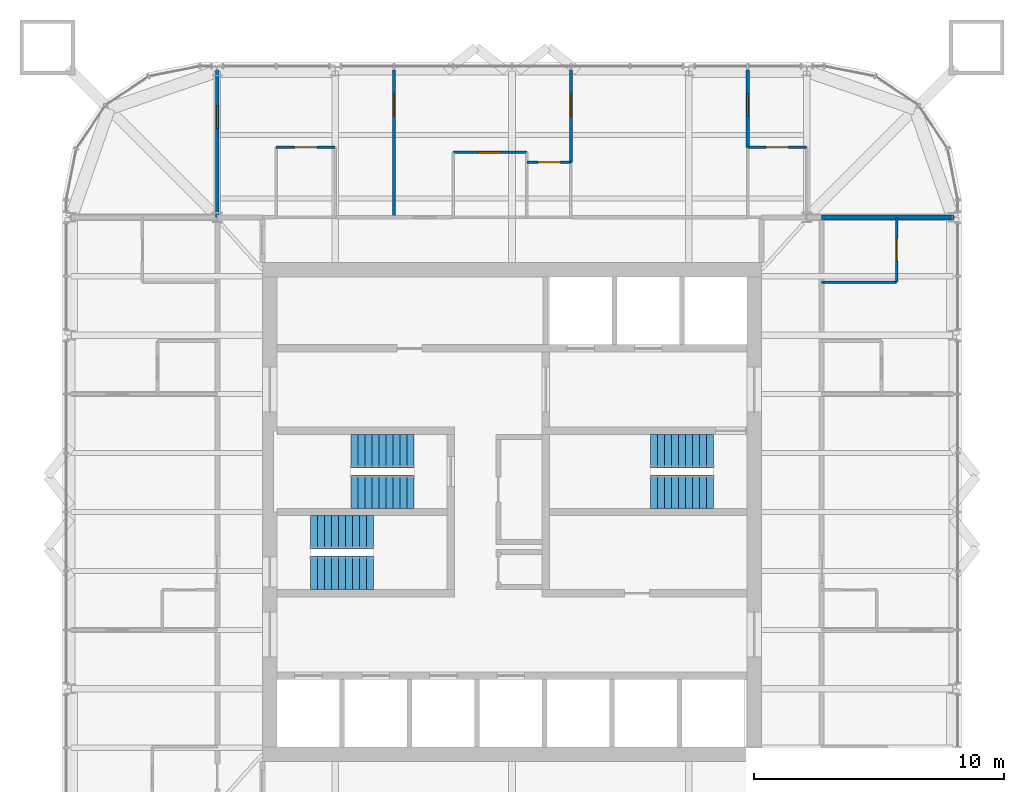
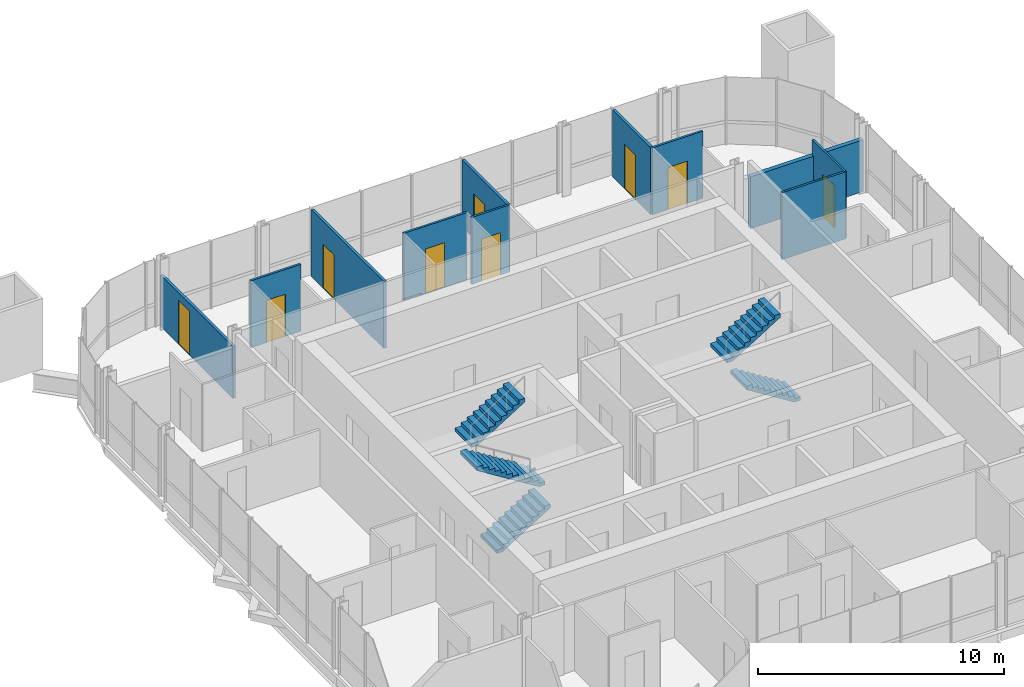
# One storey, part 16 of 17: 11 walls, 9 doors, 6 stair flights, 9 openings, 3 elements without a shape of their own.
"""IFC4 building model written with IfcOpenShell, lengths in metres."""

from ifc_helpers import new_model, si_unit, direction, frame, frame_2d, origin, place, context, subcontext, project, spatial, polyline, rectangle, outline, extrude, material, layer, layer_set, type_object, element, fill, aggregate, save


model = new_model("IFC4")

# Units and contexts
model_context = context("Model", 3, precision=1e-05, world=origin(), true_north=direction((0.0, 1.0)))
body_context = subcontext(model_context, "Body", "Model", "MODEL_VIEW")
ifc_project = project(units=[si_unit("LENGTHUNIT", "METRE"), si_unit("AREAUNIT", "SQUARE_METRE"), si_unit("VOLUMEUNIT", "CUBIC_METRE"), si_unit("PLANEANGLEUNIT", "RADIAN"), si_unit("MASSUNIT", "GRAM", prefix="KILO")], contexts=[model_context])

# Site, building, storey
site_placement = place(None, origin())
site = spatial("IfcSite", under=ifc_project, at=site_placement, CompositionType="ELEMENT")
building_placement = place(site_placement, origin())
building = spatial("IfcBuilding", under=site, at=building_placement, Name="Turquesa Mirador Hotel Tower", CompositionType="ELEMENT")
storey_placement = place(building_placement, frame((0.0, 0.0, 251.199951171875)))
storey = spatial("IfcBuildingStorey", under=building, at=storey_placement, Name="L68", CompositionType="ELEMENT", Elevation=251.199951171875)

# Wall, opening, door
ifc_material_1 = material(Name="Gypsum board on steel studs", Category="steel")
ifc_layer_1 = layer(ifc_material_1, 0.10009765625)
ifc_layer_set_1 = layer_set([ifc_layer_1], Name="BATHROOM WALL 100")
wall_type_1 = type_object("IfcWallType", Name="BATHROOM WALL 100", PredefinedType="PARTITIONING", material=ifc_layer_set_1)
wall_1_placement = place(storey_placement, frame((55.60009765625, 59.0, 0.0), z_axis=(0.0, 0.0, 1.0), x_axis=(1.0, 0.0, 0.0)))
wall_1 = element("IfcWall", 1, at=wall_1_placement, inside=storey, type_object=wall_type_1, Name="Partition L68 033", PredefinedType="PARTITIONING", context=body_context, shape_type="SweptSolid", body=[
    extrude(rectangle(XDim=1.760009765625, YDim=0.10009765625, at=frame_2d((0.8798828125, 0.0))), origin(), (0.0, 0.0, 1.0), 3.330078125),
])
opening_1_placement = place(wall_1_placement, frame((0.449951171875, 0.0, 0.0)))
opening_1 = element("IfcOpeningElement", 2, at=opening_1_placement, cuts=wall_1, Name="Opening D06", PredefinedType="OPENING", context=body_context, shape_type="SweptSolid", body=[
    extrude(rectangle(XDim=0.89990234375, YDim=2.10009765625, at=frame_2d((0.449951171875, 1.050048828125))), frame((0.0, 0.06005859375, 0.0), z_axis=(0.0, -1.0, 0.0), x_axis=(1.0, 0.0, 0.0)), (0.0, 0.0, 1.0), 0.1201171875),
])
ifc_material_2 = material(Name="Laminate door", Category="wood")
door_type_1 = type_object("IfcDoorType", Name="DOOR 900X2100 WC", OperationType="SINGLE_SWING_LEFT", PredefinedType="DOOR", material=ifc_material_2)
door_1_placement = place(opening_1_placement, origin())
door_1 = element("IfcDoor", 3, at=door_1_placement, inside=storey, type_object=door_type_1, Name="Door 6801W", OperationType="SINGLE_SWING_LEFT", OverallHeight=2.10009765625, OverallWidth=0.89990234375, PredefinedType="DOOR", context=body_context, shape_type="SweptSolid", body=[
    extrude(rectangle(XDim=0.89990234375, YDim=2.10009765625, at=frame_2d((0.449951171875, 1.050048828125))), frame((0.0, 0.02490234375, 0.0), z_axis=(0.0, -1.0, 0.0), x_axis=(1.0, 0.0, 0.0)), (0.0, 0.0, 1.0), 0.050048828125),
])
fill(opening_1, door_1)

wall_2_placement = place(storey_placement, frame((52.639892578125, 59.39990234375, 0.0), z_axis=(0.0, 0.0, 1.0), x_axis=(1.0, 0.0, 0.0)))
wall_2 = element("IfcWall", 4, at=wall_2_placement, inside=storey, type_object=wall_type_1, Name="Partition L68 034", PredefinedType="PARTITIONING", context=body_context, shape_type="SweptSolid", body=[
    extrude(rectangle(XDim=2.960205078125, YDim=0.10009765625, at=frame_2d((1.47998046875, 0.0))), origin(), (0.0, 0.0, 1.0), 3.330078125),
])
opening_2_placement = place(wall_2_placement, frame((1.010009765625, 0.0, 0.0)))
opening_2 = element("IfcOpeningElement", 5, at=opening_2_placement, cuts=wall_2, Name="Opening D17", PredefinedType="OPENING", context=body_context, shape_type="SweptSolid", body=[
    extrude(rectangle(XDim=0.89990234375, YDim=2.199951171875, at=frame_2d((0.449951171875, 1.10009765625))), frame((0.0, 0.06005859375, 0.0), z_axis=(0.0, -1.0, 0.0), x_axis=(1.0, 0.0, 0.0)), (0.0, 0.0, 1.0), 0.1201171875),
])
ifc_material_3 = material(Name="Timber veneered door", Category="wood")
door_type_2 = type_object("IfcDoorType", Name="DOOR 900X2200 SUITE INTERNAL", OperationType="SINGLE_SWING_LEFT", PredefinedType="DOOR", material=ifc_material_3)
door_2_placement = place(opening_2_placement, origin())
door_2 = element("IfcDoor", 6, at=door_2_placement, inside=storey, type_object=door_type_2, Name="Door 6801K", OperationType="SINGLE_SWING_LEFT", OverallHeight=2.199951171875, OverallWidth=0.89990234375, PredefinedType="DOOR", context=body_context, shape_type="SweptSolid", body=[
    extrude(rectangle(XDim=0.89990234375, YDim=2.199951171875, at=frame_2d((0.449951171875, 1.10009765625))), frame((0.0, 0.02490234375, 0.0), z_axis=(0.0, -1.0, 0.0), x_axis=(1.0, 0.0, 0.0)), (0.0, 0.0, 1.0), 0.050048828125),
])
fill(opening_2, door_2)

wall_3_placement = place(storey_placement, frame((45.56005859375, 59.60009765625, 0.0), z_axis=(0.0, 0.0, 1.0), x_axis=(1.0, 0.0, 0.0)))
wall_3 = element("IfcWall", 7, at=wall_3_placement, inside=storey, type_object=wall_type_1, Name="Partition L68 035", PredefinedType="PARTITIONING", context=body_context, shape_type="SweptSolid", body=[
    extrude(rectangle(XDim=2.35986328125, YDim=0.10009765625, at=frame_2d((1.179931640625, 0.0))), origin(), (0.0, 0.0, 1.0), 3.330078125),
])
opening_3_placement = place(wall_3_placement, frame((0.72998046875, 0.0, 0.0)))
opening_3 = element("IfcOpeningElement", 8, at=opening_3_placement, cuts=wall_3, Name="Opening D02", PredefinedType="OPENING", context=body_context, shape_type="SweptSolid", body=[
    extrude(rectangle(XDim=0.89990234375, YDim=2.10009765625, at=frame_2d((0.449951171875, 1.050048828125))), frame((0.0, 0.06005859375, 0.0), z_axis=(0.0, -1.0, 0.0), x_axis=(1.0, 0.0, 0.0)), (0.0, 0.0, 1.0), 0.1201171875),
])
ifc_material_4 = material(Name="Timber veneered door", Category="wood")
door_type_3 = type_object("IfcDoorType", Name="DOOR 900X2100 EN-SUITE", OperationType="SINGLE_SWING_RIGHT", PredefinedType="DOOR", material=ifc_material_4)
door_3_placement = place(opening_3_placement, origin())
door_3 = element("IfcDoor", 9, at=door_3_placement, inside=storey, type_object=door_type_3, Name="Door 6801B", OperationType="SINGLE_SWING_RIGHT", OverallHeight=2.10009765625, OverallWidth=0.89990234375, PredefinedType="DOOR", context=body_context, shape_type="SweptSolid", body=[
    extrude(rectangle(XDim=0.89990234375, YDim=2.10009765625, at=frame_2d((0.449951171875, 1.050048828125))), frame((0.0, 0.02490234375, 0.0), z_axis=(0.0, -1.0, 0.0), x_axis=(1.0, 0.0, 0.0)), (0.0, 0.0, 1.0), 0.050048828125),
])
fill(opening_3, door_3)

wall_4_placement = place(storey_placement, frame((64.43994140625, 59.60009765625, 0.0), z_axis=(0.0, 0.0, 1.0), x_axis=(1.0, 0.0, 0.0)))
wall_4 = element("IfcWall", 10, at=wall_4_placement, inside=storey, type_object=wall_type_1, Name="Partition L68 036", PredefinedType="PARTITIONING", context=body_context, shape_type="SweptSolid", body=[
    extrude(rectangle(XDim=2.360107421875, YDim=0.10009765625, at=frame_2d((1.18017578125, 0.0))), origin(), (0.0, 0.0, 1.0), 3.330078125),
])
opening_4_placement = place(wall_4_placement, frame((0.72998046875, 0.0, 0.0)))
opening_4 = element("IfcOpeningElement", 11, at=opening_4_placement, cuts=wall_4, Name="Opening D02", PredefinedType="OPENING", context=body_context, shape_type="SweptSolid", body=[
    extrude(rectangle(XDim=0.89990234375, YDim=2.10009765625, at=frame_2d((0.449951171875, 1.050048828125))), frame((0.0, 0.06005859375, 0.0), z_axis=(0.0, -1.0, 0.0), x_axis=(1.0, 0.0, 0.0)), (0.0, 0.0, 1.0), 0.1201171875),
])
door_4_placement = place(opening_4_placement, origin())
door_4 = element("IfcDoor", 12, at=door_4_placement, inside=storey, type_object=door_type_3, Name="Door 6801E", OperationType="SINGLE_SWING_RIGHT", OverallHeight=2.10009765625, OverallWidth=0.89990234375, PredefinedType="DOOR", context=body_context, shape_type="SweptSolid", body=[
    extrude(rectangle(XDim=0.89990234375, YDim=2.10009765625, at=frame_2d((0.449951171875, 1.050048828125))), frame((0.0, 0.02490234375, 0.0), z_axis=(0.0, -1.0, 0.0), x_axis=(1.0, 0.0, 0.0)), (0.0, 0.0, 1.0), 0.050048828125),
])
fill(opening_4, door_4)

# Wall
wall_5_placement = place(storey_placement, frame((67.39990234375, 54.199951171875, 0.0), z_axis=(0.0, 0.0, 1.0), x_axis=(1.0, 0.0, 0.0)))
element("IfcWall", 13, at=wall_5_placement, inside=storey, type_object=wall_type_1, Name="Partition L68 042", PredefinedType="PARTITIONING", context=body_context, shape_type="SweptSolid", body=[
    extrude(rectangle(XDim=3.0, YDim=0.10009765625, at=frame_2d((1.5, 0.0))), origin(), (0.0, 0.0, 1.0), 3.330078125),
])

# Wall, opening, door
wall_6_placement = place(storey_placement, frame((70.39990234375, 54.199951171875, 0.0), z_axis=(0.0, 0.0, 1.0), x_axis=(0.0, 1.0, 0.0)))
wall_6 = element("IfcWall", 14, at=wall_6_placement, inside=storey, type_object=wall_type_1, Name="Partition L68 070", PredefinedType="PARTITIONING", context=body_context, shape_type="SweptSolid", body=[
    extrude(rectangle(XDim=2.60009765625, YDim=0.10009765625, at=frame_2d((1.300048828125, 0.0))), origin(), (0.0, 0.0, 1.0), 3.330078125),
])
opening_5_placement = place(wall_6_placement, frame((0.85009765625, 0.0, 0.0)))
opening_5 = element("IfcOpeningElement", 15, at=opening_5_placement, cuts=wall_6, Name="Opening D02", PredefinedType="OPENING", context=body_context, shape_type="SweptSolid", body=[
    extrude(rectangle(XDim=0.89990234375, YDim=2.10009765625, at=frame_2d((0.449951171875, 1.050048828125))), frame((0.0, 0.06005859375, 0.0), z_axis=(0.0, -1.0, 0.0), x_axis=(1.0, 0.0, 0.0)), (0.0, 0.0, 1.0), 0.1201171875),
])
door_5_placement = place(opening_5_placement, origin())
door_5 = element("IfcDoor", 16, at=door_5_placement, inside=storey, type_object=door_type_3, Name="Door 6803B", OperationType="SINGLE_SWING_RIGHT", OverallHeight=2.10009765625, OverallWidth=0.89990234375, PredefinedType="DOOR", context=body_context, shape_type="SweptSolid", body=[
    extrude(rectangle(XDim=0.89990234375, YDim=2.10009765625, at=frame_2d((0.449951171875, 1.050048828125))), frame((0.0, 0.02490234375, 0.0), z_axis=(0.0, -1.0, 0.0), x_axis=(1.0, 0.0, 0.0)), (0.0, 0.0, 1.0), 0.050048828125),
])
fill(opening_5, door_5)

# Wall
ifc_material_5 = material(Name="Fire-rated gypsum board on steel studs", Category="steel")
ifc_layer_2 = layer(ifc_material_5, 0.199951171875)
ifc_layer_set_2 = layer_set([ifc_layer_2], Name="PARTY WALL 200")
wall_type_2 = type_object("IfcWallType", Name="PARTY WALL 200", PredefinedType="PARTITIONING", material=ifc_layer_set_2)
wall_7_placement = place(storey_placement, frame((67.39990234375, 56.800048828125, 0.0), z_axis=(0.0, 0.0, 1.0), x_axis=(1.0, 0.0, 0.0)))
element("IfcWall", 17, at=wall_7_placement, inside=storey, type_object=wall_type_2, Name="Partition L68 029", PredefinedType="PARTITIONING", context=body_context, shape_type="SweptSolid", body=[
    extrude(rectangle(XDim=5.300048828125, YDim=0.199951171875, at=frame_2d((2.64990234375, 0.0))), origin(), (0.0, 0.0, 1.0), 2.5732421875),
])

# Wall, opening, door
ifc_material_6 = material(Name="Acoustic gypsum board on steel studs", Category="steel")
ifc_layer_3 = layer(ifc_material_6, 0.125)
ifc_layer_set_3 = layer_set([ifc_layer_3], Name="SUITE PARTITION 125")
wall_type_3 = type_object("IfcWallType", Name="SUITE PARTITION 125", PredefinedType="PARTITIONING", material=ifc_layer_set_3)
wall_8_placement = place(storey_placement, frame((43.199951171875, 56.800048828125, 0.0), z_axis=(0.0, 0.0, 1.0), x_axis=(0.0, 1.0, 0.0)))
wall_8 = element("IfcWall", 18, at=wall_8_placement, inside=storey, type_object=wall_type_3, Name="Partition L68 047", PredefinedType="PARTITIONING", context=body_context, shape_type="SweptSolid", body=[
    extrude(rectangle(XDim=5.89990234375, YDim=0.125, at=frame_2d((2.949951171875, 0.0))), origin(), (0.0, 0.0, 1.0), 2.5732421875),
])
opening_6_placement = place(wall_8_placement, frame((3.550048828125, 0.0, 0.0)))
opening_6 = element("IfcOpeningElement", 19, at=opening_6_placement, cuts=wall_8, Name="Opening D17", PredefinedType="OPENING", context=body_context, shape_type="SweptSolid", body=[
    extrude(rectangle(XDim=0.89990234375, YDim=2.199951171875, at=frame_2d((0.449951171875, 1.10009765625))), frame((0.0, 0.072509765625, 0.0), z_axis=(0.0, -1.0, 0.0), x_axis=(1.0, 0.0, 0.0)), (0.0, 0.0, 1.0), 0.14501953125),
])
door_6_placement = place(opening_6_placement, origin())
door_6 = element("IfcDoor", 20, at=door_6_placement, inside=storey, type_object=door_type_2, Name="Door 6801T", OperationType="SINGLE_SWING_LEFT", OverallHeight=2.199951171875, OverallWidth=0.89990234375, PredefinedType="DOOR", context=body_context, shape_type="SweptSolid", body=[
    extrude(rectangle(XDim=0.89990234375, YDim=2.199951171875, at=frame_2d((0.449951171875, 1.10009765625))), frame((0.0, 0.02490234375, 0.0), z_axis=(0.0, -1.0, 0.0), x_axis=(1.0, 0.0, 0.0)), (0.0, 0.0, 1.0), 0.050048828125),
])
fill(opening_6, door_6)

wall_9_placement = place(storey_placement, frame((50.280029296875, 56.800048828125, 0.0), z_axis=(0.0, 0.0, 1.0), x_axis=(0.0, 1.0, 0.0)))
wall_9 = element("IfcWall", 21, at=wall_9_placement, inside=storey, type_object=wall_type_3, Name="Partition L68 055", PredefinedType="PARTITIONING", context=body_context, shape_type="SweptSolid", body=[
    extrude(rectangle(XDim=5.89990234375, YDim=0.125, at=frame_2d((2.949951171875, 0.0))), origin(), (0.0, 0.0, 1.0), 3.330078125),
])
opening_7_placement = place(wall_9_placement, frame((4.050048828125, 0.0, 0.0)))
opening_7 = element("IfcOpeningElement", 22, at=opening_7_placement, cuts=wall_9, Name="Opening D17", PredefinedType="OPENING", context=body_context, shape_type="SweptSolid", body=[
    extrude(rectangle(XDim=0.89990234375, YDim=2.199951171875, at=frame_2d((0.449951171875, 1.10009765625))), frame((0.0, 0.072509765625, 0.0), z_axis=(0.0, -1.0, 0.0), x_axis=(1.0, 0.0, 0.0)), (0.0, 0.0, 1.0), 0.14501953125),
])
door_7_placement = place(opening_7_placement, origin())
door_7 = element("IfcDoor", 23, at=door_7_placement, inside=storey, type_object=door_type_2, Name="Door 6801R", OperationType="SINGLE_SWING_LEFT", OverallHeight=2.199951171875, OverallWidth=0.89990234375, PredefinedType="DOOR", context=body_context, shape_type="SweptSolid", body=[
    extrude(rectangle(XDim=0.89990234375, YDim=2.199951171875, at=frame_2d((0.449951171875, 1.10009765625))), frame((0.0, 0.02490234375, 0.0), z_axis=(0.0, -1.0, 0.0), x_axis=(1.0, 0.0, 0.0)), (0.0, 0.0, 1.0), 0.050048828125),
])
fill(opening_7, door_7)

wall_10_placement = place(storey_placement, frame((57.360107421875, 59.0, 0.0), z_axis=(0.0, 0.0, 1.0), x_axis=(0.0, 1.0, 0.0)))
wall_10 = element("IfcWall", 24, at=wall_10_placement, inside=storey, type_object=wall_type_3, Name="Partition L68 074", PredefinedType="PARTITIONING", context=body_context, shape_type="SweptSolid", body=[
    extrude(rectangle(XDim=3.699951171875, YDim=0.125, at=frame_2d((1.85009765625, 0.0))), origin(), (0.0, 0.0, 1.0), 3.330078125),
])
opening_8_placement = place(wall_10_placement, frame((1.85009765625, 0.0, 0.0)))
opening_8 = element("IfcOpeningElement", 25, at=opening_8_placement, cuts=wall_10, Name="Opening D17", PredefinedType="OPENING", context=body_context, shape_type="SweptSolid", body=[
    extrude(rectangle(XDim=0.89990234375, YDim=2.199951171875, at=frame_2d((0.449951171875, 1.10009765625))), frame((0.0, 0.072509765625, 0.0), z_axis=(0.0, -1.0, 0.0), x_axis=(1.0, 0.0, 0.0)), (0.0, 0.0, 1.0), 0.14501953125),
])
door_8_placement = place(opening_8_placement, origin())
door_8 = element("IfcDoor", 26, at=door_8_placement, inside=storey, type_object=door_type_2, Name="Door 6801L", OperationType="SINGLE_SWING_LEFT", OverallHeight=2.199951171875, OverallWidth=0.89990234375, PredefinedType="DOOR", context=body_context, shape_type="SweptSolid", body=[
    extrude(rectangle(XDim=0.89990234375, YDim=2.199951171875, at=frame_2d((0.449951171875, 1.10009765625))), frame((0.0, 0.02490234375, 0.0), z_axis=(0.0, -1.0, 0.0), x_axis=(1.0, 0.0, 0.0)), (0.0, 0.0, 1.0), 0.050048828125),
])
fill(opening_8, door_8)

wall_11_placement = place(storey_placement, frame((64.43994140625, 59.60009765625, 0.0), z_axis=(0.0, 0.0, 1.0), x_axis=(0.0, 1.0, 0.0)))
wall_11 = element("IfcWall", 27, at=wall_11_placement, inside=storey, type_object=wall_type_3, Name="Partition L68 078", PredefinedType="PARTITIONING", context=body_context, shape_type="SweptSolid", body=[
    extrude(rectangle(XDim=3.099853515625, YDim=0.125, at=frame_2d((1.5498046875, 0.0))), origin(), (0.0, 0.0, 1.0), 3.330078125),
])
opening_9_placement = place(wall_11_placement, frame((1.25, 0.0, 0.0)))
opening_9 = element("IfcOpeningElement", 28, at=opening_9_placement, cuts=wall_11, Name="Opening D17", PredefinedType="OPENING", context=body_context, shape_type="SweptSolid", body=[
    extrude(rectangle(XDim=0.89990234375, YDim=2.199951171875, at=frame_2d((0.449951171875, 1.10009765625))), frame((0.0, 0.072509765625, 0.0), z_axis=(0.0, -1.0, 0.0), x_axis=(1.0, 0.0, 0.0)), (0.0, 0.0, 1.0), 0.14501953125),
])
door_9_placement = place(opening_9_placement, origin())
door_9 = element("IfcDoor", 29, at=door_9_placement, inside=storey, type_object=door_type_2, Name="Door 6801S", OperationType="SINGLE_SWING_LEFT", OverallHeight=2.199951171875, OverallWidth=0.89990234375, PredefinedType="DOOR", context=body_context, shape_type="SweptSolid", body=[
    extrude(rectangle(XDim=0.89990234375, YDim=2.199951171875, at=frame_2d((0.449951171875, 1.10009765625))), frame((0.0, 0.02490234375, 0.0), z_axis=(0.0, -1.0, 0.0), x_axis=(1.0, 0.0, 0.0)), (0.0, 0.0, 1.0), 0.050048828125),
])
fill(opening_9, door_9)

# Stair, stair flights
ifc_material_7 = material(Name="Concrete C35/45", Category="concrete")
stair_type = type_object("IfcStairType", Name="ESCAPE STAIR CORE", PredefinedType="HALF_TURN_STAIR", material=ifc_material_7)
stair_1_placement = place(storey_placement, origin())
stair_1 = element("IfcStair", 30, at=stair_1_placement, inside=storey, type_object=stair_type, Name="Stair ST1 L68 to L69", PredefinedType="HALF_TURN_STAIR")
ifc_material_8 = material(Name="Concrete C35/45 precast flight", Category="concrete")
stair_flight_type = type_object("IfcStairFlightType", Name="STAIR FLIGHT 1330", PredefinedType="STRAIGHT", material=ifc_material_8)
stair_flight_1_placement = place(storey_placement, frame((51.070068359375, 45.81494140625, 0.0), z_axis=(0.0, 0.0, 1.0), x_axis=(-1.0, 0.0, 0.0)))
stair_flight_1 = element("IfcStairFlight", 31, at=stair_flight_1_placement, type_object=stair_flight_type, Name="ST1 flight 1", NumberOfRisers=10, NumberOfTreads=9, PredefinedType="STRAIGHT", RiserHeight=0.175, TreadLength=0.28, context=body_context, shape_type="SweptSolid", body=[
    extrude(outline(polyline([(0.0, 0.0), (0.0, 0.175048828125), (0.280029296875, 0.175048828125), (0.280029296875, 0.35009765625), (0.56005859375, 0.35009765625), (0.56005859375, 0.52490234375), (0.840087890625, 0.52490234375), (0.840087890625, 0.699951171875), (1.1201171875, 0.699951171875), (1.1201171875, 0.875), (1.39990234375, 0.875), (1.39990234375, 1.050048828125), (1.679931640625, 1.050048828125), (1.679931640625, 1.22509765625), (1.9599609375, 1.22509765625), (1.9599609375, 1.39990234375), (2.239990234375, 1.39990234375), (2.239990234375, 1.574951171875), (2.52001953125, 1.574951171875), (2.52001953125, 1.75), (2.52001953125, 1.398193359375), (0.28271484375, 0.0), (0.0, 0.0)])), frame((0.0, 0.6650390625, 0.0), z_axis=(0.0, -1.0, 0.0), x_axis=(1.0, 0.0, 0.0)), (0.0, 0.0, 1.0), 1.330078125),
])
stair_flight_2_placement = place(storey_placement, frame((48.550048828125, 47.43505859375, 1.75), z_axis=(0.0, 0.0, 1.0), x_axis=(1.0, 0.0, 0.0)))
stair_flight_2 = element("IfcStairFlight", 32, at=stair_flight_2_placement, type_object=stair_flight_type, Name="ST1 flight 2", NumberOfRisers=10, NumberOfTreads=9, PredefinedType="STRAIGHT", RiserHeight=0.175, TreadLength=0.28, context=body_context, shape_type="SweptSolid", body=[
    extrude(outline(polyline([(0.0, 0.0), (0.0, 0.175048828125), (0.280029296875, 0.175048828125), (0.280029296875, 0.35009765625), (0.56005859375, 0.35009765625), (0.56005859375, 0.52490234375), (0.840087890625, 0.52490234375), (0.840087890625, 0.699951171875), (1.1201171875, 0.699951171875), (1.1201171875, 0.875), (1.39990234375, 0.875), (1.39990234375, 1.050048828125), (1.679931640625, 1.050048828125), (1.679931640625, 1.22509765625), (1.9599609375, 1.22509765625), (1.9599609375, 1.39990234375), (2.239990234375, 1.39990234375), (2.239990234375, 1.574951171875), (2.52001953125, 1.574951171875), (2.52001953125, 1.75), (2.52001953125, 1.398193359375), (0.28271484375, 0.0), (0.0, 0.0)])), frame((0.0, 0.6650390625, 0.0), z_axis=(0.0, -1.0, 0.0), x_axis=(1.0, 0.0, 0.0)), (0.0, 0.0, 1.0), 1.330078125),
])
aggregate(stair_1, [stair_flight_1, stair_flight_2])

stair_2_placement = place(storey_placement, origin())
stair_2 = element("IfcStair", 33, at=stair_2_placement, inside=storey, type_object=stair_type, Name="Stair ST2 L68 to L69", PredefinedType="HALF_TURN_STAIR")
stair_flight_3_placement = place(storey_placement, frame((46.929931640625, 42.56494140625, 0.0), z_axis=(0.0, 0.0, 1.0), x_axis=(1.0, 0.0, 0.0)))
stair_flight_3 = element("IfcStairFlight", 34, at=stair_flight_3_placement, type_object=stair_flight_type, Name="ST2 flight 1", NumberOfRisers=10, NumberOfTreads=9, PredefinedType="STRAIGHT", RiserHeight=0.175, TreadLength=0.28, context=body_context, shape_type="SweptSolid", body=[
    extrude(outline(polyline([(0.0, 0.0), (0.0, 0.175048828125), (0.280029296875, 0.175048828125), (0.280029296875, 0.35009765625), (0.56005859375, 0.35009765625), (0.56005859375, 0.52490234375), (0.840087890625, 0.52490234375), (0.840087890625, 0.699951171875), (1.1201171875, 0.699951171875), (1.1201171875, 0.875), (1.39990234375, 0.875), (1.39990234375, 1.050048828125), (1.679931640625, 1.050048828125), (1.679931640625, 1.22509765625), (1.9599609375, 1.22509765625), (1.9599609375, 1.39990234375), (2.239990234375, 1.39990234375), (2.239990234375, 1.574951171875), (2.52001953125, 1.574951171875), (2.52001953125, 1.75), (2.52001953125, 1.398193359375), (0.28271484375, 0.0), (0.0, 0.0)])), frame((0.0, 0.6650390625, 0.0), z_axis=(0.0, -1.0, 0.0), x_axis=(1.0, 0.0, 0.0)), (0.0, 0.0, 1.0), 1.330078125),
])
stair_flight_4_placement = place(storey_placement, frame((49.449951171875, 44.18505859375, 1.75), z_axis=(0.0, 0.0, 1.0), x_axis=(-1.0, 0.0, 0.0)))
stair_flight_4 = element("IfcStairFlight", 35, at=stair_flight_4_placement, type_object=stair_flight_type, Name="ST2 flight 2", NumberOfRisers=10, NumberOfTreads=9, PredefinedType="STRAIGHT", RiserHeight=0.175, TreadLength=0.28, context=body_context, shape_type="SweptSolid", body=[
    extrude(outline(polyline([(0.0, 0.0), (0.0, 0.175048828125), (0.280029296875, 0.175048828125), (0.280029296875, 0.35009765625), (0.56005859375, 0.35009765625), (0.56005859375, 0.52490234375), (0.840087890625, 0.52490234375), (0.840087890625, 0.699951171875), (1.1201171875, 0.699951171875), (1.1201171875, 0.875), (1.39990234375, 0.875), (1.39990234375, 1.050048828125), (1.679931640625, 1.050048828125), (1.679931640625, 1.22509765625), (1.9599609375, 1.22509765625), (1.9599609375, 1.39990234375), (2.239990234375, 1.39990234375), (2.239990234375, 1.574951171875), (2.52001953125, 1.574951171875), (2.52001953125, 1.75), (2.52001953125, 1.398193359375), (0.28271484375, 0.0), (0.0, 0.0)])), frame((0.0, 0.6650390625, 0.0), z_axis=(0.0, -1.0, 0.0), x_axis=(1.0, 0.0, 0.0)), (0.0, 0.0, 1.0), 1.330078125),
])
aggregate(stair_2, [stair_flight_3, stair_flight_4])

stair_3_placement = place(storey_placement, origin())
stair_3 = element("IfcStair", 36, at=stair_3_placement, inside=storey, type_object=stair_type, Name="Stair ST3 L68 to L69", PredefinedType="HALF_TURN_STAIR")
stair_flight_5_placement = place(storey_placement, frame((63.070068359375, 45.81494140625, 0.0), z_axis=(0.0, 0.0, 1.0), x_axis=(-1.0, 0.0, 0.0)))
stair_flight_5 = element("IfcStairFlight", 37, at=stair_flight_5_placement, type_object=stair_flight_type, Name="ST3 flight 1", NumberOfRisers=10, NumberOfTreads=9, PredefinedType="STRAIGHT", RiserHeight=0.175, TreadLength=0.28, context=body_context, shape_type="SweptSolid", body=[
    extrude(outline(polyline([(0.0, 0.0), (0.0, 0.175048828125), (0.280029296875, 0.175048828125), (0.280029296875, 0.35009765625), (0.56005859375, 0.35009765625), (0.56005859375, 0.52490234375), (0.840087890625, 0.52490234375), (0.840087890625, 0.699951171875), (1.1201171875, 0.699951171875), (1.1201171875, 0.875), (1.39990234375, 0.875), (1.39990234375, 1.050048828125), (1.679931640625, 1.050048828125), (1.679931640625, 1.22509765625), (1.9599609375, 1.22509765625), (1.9599609375, 1.39990234375), (2.239990234375, 1.39990234375), (2.239990234375, 1.574951171875), (2.52001953125, 1.574951171875), (2.52001953125, 1.75), (2.52001953125, 1.398193359375), (0.28271484375, 0.0), (0.0, 0.0)])), frame((0.0, 0.6650390625, 0.0), z_axis=(0.0, -1.0, 0.0), x_axis=(1.0, 0.0, 0.0)), (0.0, 0.0, 1.0), 1.330078125),
])
stair_flight_6_placement = place(storey_placement, frame((60.550048828125, 47.43505859375, 1.75), z_axis=(0.0, 0.0, 1.0), x_axis=(1.0, 0.0, 0.0)))
stair_flight_6 = element("IfcStairFlight", 38, at=stair_flight_6_placement, type_object=stair_flight_type, Name="ST3 flight 2", NumberOfRisers=10, NumberOfTreads=9, PredefinedType="STRAIGHT", RiserHeight=0.175, TreadLength=0.28, context=body_context, shape_type="SweptSolid", body=[
    extrude(outline(polyline([(0.0, 0.0), (0.0, 0.175048828125), (0.280029296875, 0.175048828125), (0.280029296875, 0.35009765625), (0.56005859375, 0.35009765625), (0.56005859375, 0.52490234375), (0.840087890625, 0.52490234375), (0.840087890625, 0.699951171875), (1.1201171875, 0.699951171875), (1.1201171875, 0.875), (1.39990234375, 0.875), (1.39990234375, 1.050048828125), (1.679931640625, 1.050048828125), (1.679931640625, 1.22509765625), (1.9599609375, 1.22509765625), (1.9599609375, 1.39990234375), (2.239990234375, 1.39990234375), (2.239990234375, 1.574951171875), (2.52001953125, 1.574951171875), (2.52001953125, 1.75), (2.52001953125, 1.398193359375), (0.28271484375, 0.0), (0.0, 0.0)])), frame((0.0, 0.6650390625, 0.0), z_axis=(0.0, -1.0, 0.0), x_axis=(1.0, 0.0, 0.0)), (0.0, 0.0, 1.0), 1.330078125),
])
aggregate(stair_3, [stair_flight_5, stair_flight_6])

save(model, "model.ifc")
